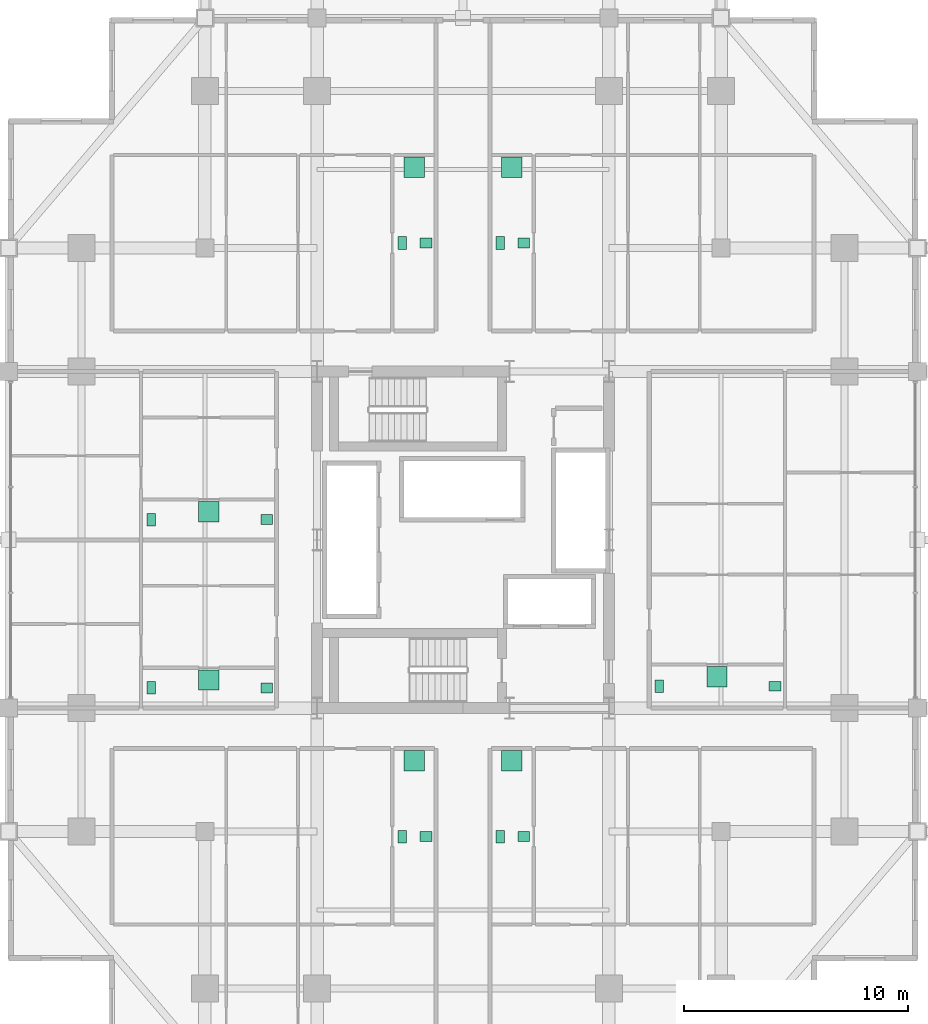
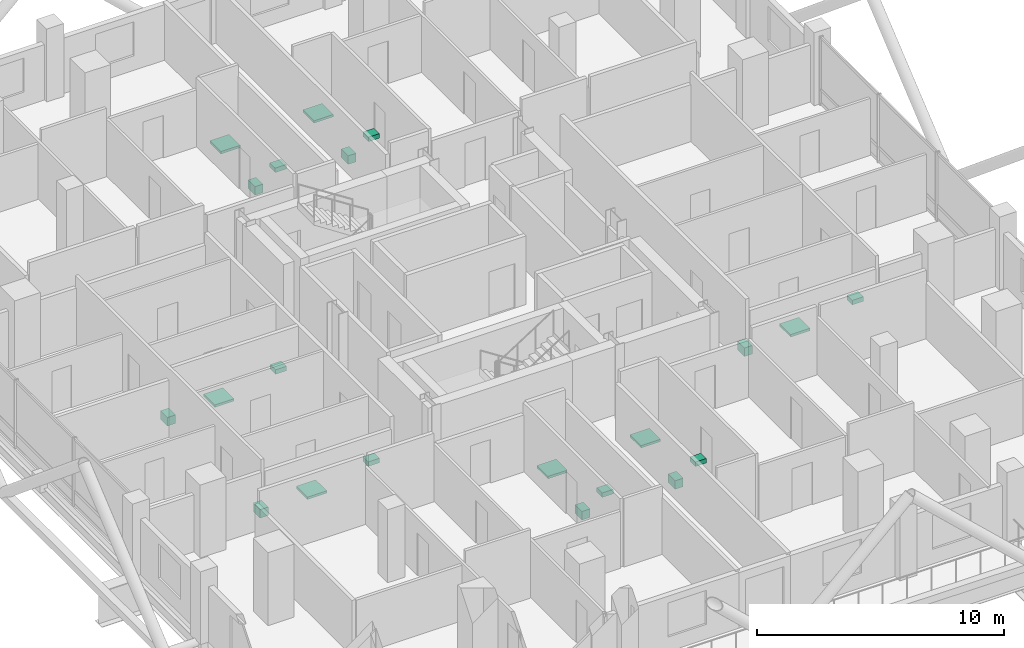
# One storey, part 21 of 21: 21 sanitary terminals.
"""IFC4 building model written with IfcOpenShell, lengths in metres."""

from ifc_helpers import new_model, si_unit, direction, frame, origin, origin_2d, place, context, subcontext, project, spatial, rectangle, extrude, material, type_object, element, save


model = new_model("IFC4")

# Units and contexts
model_context = context("Model", 3, precision=1e-05, world=origin(), true_north=direction((0.0, 1.0)))
body_context = subcontext(model_context, "Body", "Model", "MODEL_VIEW")
ifc_project = project(units=[si_unit("LENGTHUNIT", "METRE"), si_unit("AREAUNIT", "SQUARE_METRE"), si_unit("VOLUMEUNIT", "CUBIC_METRE"), si_unit("PLANEANGLEUNIT", "RADIAN"), si_unit("MASSUNIT", "GRAM", prefix="KILO")], contexts=[model_context])

# Site, building, storey
site_placement = place(None, origin())
site = spatial("IfcSite", under=ifc_project, at=site_placement, CompositionType="ELEMENT")
building_placement = place(site_placement, origin())
building = spatial("IfcBuilding", under=site, at=building_placement, Name="Barlavira Tower and Art Museum", CompositionType="ELEMENT")
storey_placement = place(building_placement, frame((0.0, 0.0, 99.0)))
storey = spatial("IfcBuildingStorey", under=building, at=storey_placement, Name="L24", CompositionType="ELEMENT", Elevation=99.0)

# Sanitary terminals
ifc_material = material(Name="Vitreous glazed ceramic", Category="ceramic")
sanitary_terminal_type_1 = type_object("IfcSanitaryTerminalType", Name="Countertop Ceramic Wash Hand Basin", PredefinedType="WASHHANDBASIN", material=ifc_material)
for number, where, z_axis, x_axis, name in (
    (1, (-1.64990234375, -13.22509765625, 0.740234375), (0.0, 0.0, 1.0), (1.0, 0.0, 0.0), "L24-SW1-BTH1 Wash Basin"),
    (2, (2.699951171875, -13.22509765625, 0.740234375), (0.0, 0.0, 1.0), (1.0, 0.0, 0.0), "L24-SE1-BTH1 Wash Basin"),
    (3, (-1.64990234375, 13.22509765625, 0.740234375), (0.0, 0.0, 1.0), (1.0, 0.0, 0.0), "L24-NW1-BTH1 Wash Basin"),
    (4, (2.699951171875, 13.22509765625, 0.740234375), (0.0, 0.0, 1.0), (1.0, 0.0, 0.0), "L24-NE1-BTH1 Wash Basin"),
    (5, (-8.75, -6.60009765625, 0.740234375), (0.0, 0.0, 1.0), (1.0, 0.0, 0.0), "L24-W1-BTH1 Wash Basin"),
    (6, (-8.75, 0.89990234375, 0.740234375), (0.0, 0.0, 1.0), (1.0, 0.0, 0.0), "L24-W2-BTH1 Wash Basin"),
    (7, (13.89990234375, -6.52490234375, 0.740234375), (0.0, 0.0, 1.0), (1.0, 0.0, 0.0), "L24-E1-BTH1 Wash Basin"),
):
    element("IfcSanitaryTerminal", number, at=place(storey_placement, frame(where, z_axis=z_axis, x_axis=x_axis)), inside=storey, type_object=sanitary_terminal_type_1, Name=name, PredefinedType="WASHHANDBASIN", context=body_context, shape_type="SweptSolid", body=[
        extrude(rectangle(XDim=0.52001953125, YDim=0.43994140625, at=origin_2d()), origin(), (0.0, 0.0, 1.0), 0.219970703125),
    ])
sanitary_terminal_type_2 = type_object("IfcSanitaryTerminalType", Name="Walk-In Thermostatic Rain Shower Unit", PredefinedType="SHOWER", material=ifc_material)
for number, where, z_axis, x_axis, name in (
    (8, (-2.175048828125, -9.85009765625, 0.0), (0.0, 0.0, 1.0), (1.0, 0.0, 0.0), "L24-SW1-BTH1 Rain Shower"),
    (9, (2.175048828125, -9.85009765625, 0.0), (0.0, 0.0, 1.0), (1.0, 0.0, 0.0), "L24-SE1-BTH1 Rain Shower"),
    (10, (-2.175048828125, 16.60009765625, 0.0), (0.0, 0.0, 1.0), (1.0, 0.0, 0.0), "L24-NW1-BTH1 Rain Shower"),
    (11, (2.175048828125, 16.60009765625, 0.0), (0.0, 0.0, 1.0), (1.0, 0.0, 0.0), "L24-NE1-BTH1 Rain Shower"),
    (12, (-11.324951171875, -6.25, 0.0), (0.0, 0.0, 1.0), (1.0, 0.0, 0.0), "L24-W1-BTH1 Rain Shower"),
    (13, (-11.324951171875, 1.25, 0.0), (0.0, 0.0, 1.0), (1.0, 0.0, 0.0), "L24-W2-BTH1 Rain Shower"),
    (14, (11.324951171875, -6.10009765625, 0.0), (0.0, 0.0, 1.0), (1.0, 0.0, 0.0), "L24-E1-BTH1 Rain Shower"),
):
    element("IfcSanitaryTerminal", number, at=place(storey_placement, frame(where, z_axis=z_axis, x_axis=x_axis)), inside=storey, type_object=sanitary_terminal_type_2, Name=name, PredefinedType="SHOWER", context=body_context, shape_type="SweptSolid", body=[
        extrude(rectangle(XDim=0.89990234375, YDim=0.89990234375, at=origin_2d()), origin(), (0.0, 0.0, 1.0), 0.1201171875),
    ])
sanitary_terminal_type_3 = type_object("IfcSanitaryTerminalType", Name="Wall-Hung Dual-Flush Vitreous WC Pan", PredefinedType="TOILETPAN", material=ifc_material)
for number, where, z_axis, x_axis, name in (
    (15, (-2.699951171875, -13.22509765625, 0.0), (0.0, 0.0, 1.0), (1.0, 0.0, 0.0), "L24-SW1-BTH1 WC Pan"),
    (16, (1.64990234375, -13.22509765625, 0.0), (0.0, 0.0, 1.0), (1.0, 0.0, 0.0), "L24-SE1-BTH1 WC Pan"),
    (17, (-2.699951171875, 13.22509765625, 0.0), (0.0, 0.0, 1.0), (1.0, 0.0, 0.0), "L24-NW1-BTH1 WC Pan"),
    (18, (1.64990234375, 13.22509765625, 0.0), (0.0, 0.0, 1.0), (1.0, 0.0, 0.0), "L24-NE1-BTH1 WC Pan"),
    (19, (-13.89990234375, -6.60009765625, 0.0), (0.0, 0.0, 1.0), (1.0, 0.0, 0.0), "L24-W1-BTH1 WC Pan"),
    (20, (-13.89990234375, 0.89990234375, 0.0), (0.0, 0.0, 1.0), (1.0, 0.0, 0.0), "L24-W2-BTH1 WC Pan"),
    (21, (8.75, -6.52490234375, 0.0), (0.0, 0.0, 1.0), (1.0, 0.0, 0.0), "L24-E1-BTH1 WC Pan"),
):
    element("IfcSanitaryTerminal", number, at=place(storey_placement, frame(where, z_axis=z_axis, x_axis=x_axis)), inside=storey, type_object=sanitary_terminal_type_3, Name=name, PredefinedType="TOILETPAN", context=body_context, shape_type="SweptSolid", body=[
        extrude(rectangle(XDim=0.3798828125, YDim=0.56005859375, at=origin_2d()), origin(), (0.0, 0.0, 1.0), 0.419921875),
    ])

save(model, "model.ifc")
